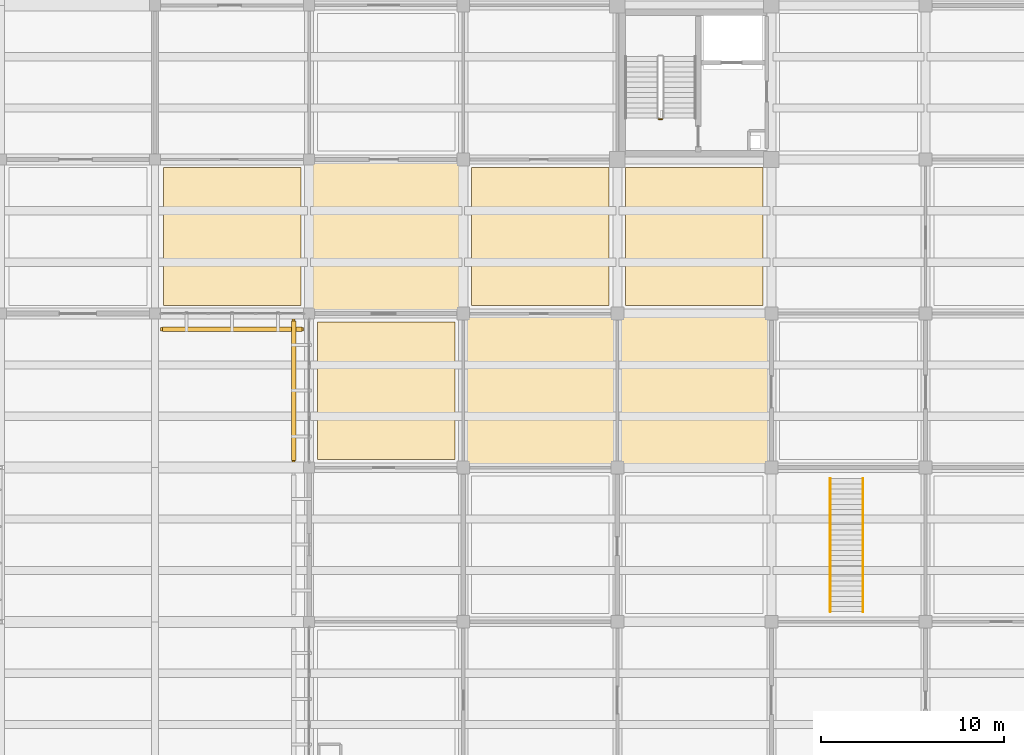
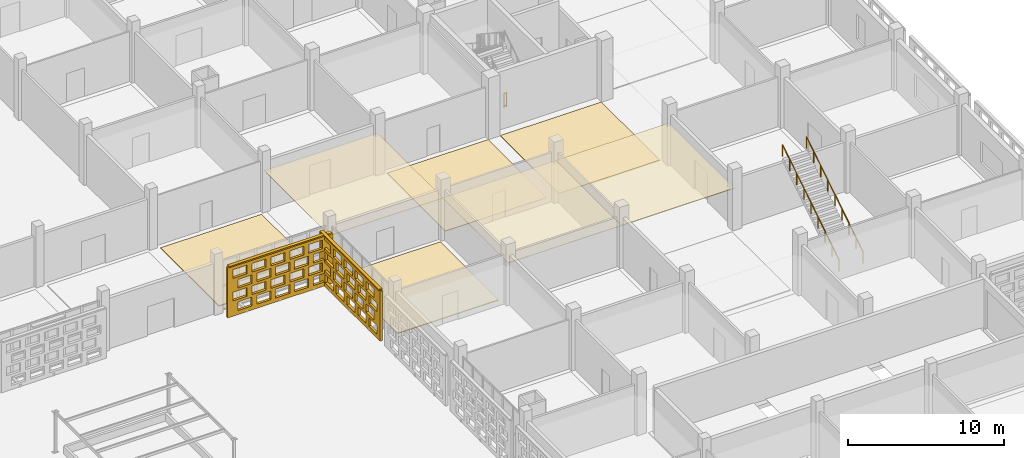
# One storey, part 123 of 129: 9 coverings, 3 railings, 2 shading devices, 40 openings.
"""IFC4 building model written with IfcOpenShell, lengths in metres."""

from ifc_helpers import new_model, si_unit, direction, frame, frame_2d, origin, origin_2d, place, context, subcontext, project, spatial, rectangle, circle, extrude, material, layer, layer_set, type_object, element, save


model = new_model("IFC4")

# Units and contexts
model_context = context("Model", 3, precision=1e-05, world=origin(), true_north=direction((0.0, 1.0)))
body_context = subcontext(model_context, "Body", "Model", "MODEL_VIEW")
ifc_project = project(units=[si_unit("LENGTHUNIT", "METRE"), si_unit("AREAUNIT", "SQUARE_METRE"), si_unit("VOLUMEUNIT", "CUBIC_METRE"), si_unit("PLANEANGLEUNIT", "RADIAN"), si_unit("MASSUNIT", "GRAM", prefix="KILO")], contexts=[model_context])

# Site, building, storey
site_placement = place(None, origin())
site = spatial("IfcSite", under=ifc_project, at=site_placement, CompositionType="ELEMENT")
building_placement = place(site_placement, origin())
building = spatial("IfcBuilding", under=site, at=building_placement, Name="Varnapada Polytechnic", CompositionType="ELEMENT")
storey_placement = place(building_placement, origin())
storey = spatial("IfcBuildingStorey", under=building, at=storey_placement, Name="L00", CompositionType="ELEMENT", Elevation=0.0)

# Coverings
ifc_material_1 = material(Name="Anti-Static Raised Laboratory Flooring")
ifc_layer_1 = layer(ifc_material_1, 0.06005859375)
ifc_layer_set_1 = layer_set([ifc_layer_1], Name="Anti-Static Raised Laboratory Flooring")
covering_type_1 = type_object("IfcCoveringType", Name="Floor Finish FLR-02", PredefinedType="FLOORING", material=ifc_layer_set_1)
covering_1_placement = place(storey_placement, frame((130.199951171875, 88.199951171875, 0.0), z_axis=(0.0, 0.0, 1.0), x_axis=(1.0, 0.0, 0.0)))
element("IfcCovering", 1, at=covering_1_placement, inside=storey, type_object=covering_type_1, Name="L00 floor finish panel (16,11)", PredefinedType="FLOORING", context=body_context, shape_type="SweptSolid", body=[
    extrude(rectangle(XDim=7.5, YDim=7.5, at=origin_2d()), origin(), (0.0, 0.0, 1.0), 0.06005859375),
])
ifc_material_2 = material(Name="End-Grain Timber Studio Block Flooring", Category="wood")
ifc_layer_2 = layer(ifc_material_2, 0.054931640625)
ifc_layer_set_2 = layer_set([ifc_layer_2], Name="End-Grain Timber Studio Block Flooring")
covering_type_2 = type_object("IfcCoveringType", Name="Floor Finish FLR-04", PredefinedType="FLOORING", material=ifc_layer_set_2)
covering_2_placement = place(storey_placement, frame((138.60009765625, 79.800048828125, 0.0), z_axis=(0.0, 0.0, 1.0), x_axis=(1.0, 0.0, 0.0)))
element("IfcCovering", 2, at=covering_2_placement, inside=storey, type_object=covering_type_2, Name="L00 floor finish panel (17,10)", PredefinedType="FLOORING", context=body_context, shape_type="SweptSolid", body=[
    extrude(rectangle(XDim=7.5, YDim=7.5, at=origin_2d()), origin(), (0.0, 0.0, 1.0), 0.054931640625),
])
ifc_material_3 = material(Name="Acoustic Rubber Seminar Flooring")
ifc_layer_3 = layer(ifc_material_3, 0.0400390625)
ifc_layer_set_3 = layer_set([ifc_layer_3], Name="Acoustic Rubber Seminar Flooring")
covering_type_3 = type_object("IfcCoveringType", Name="Floor Finish FLR-06", PredefinedType="FLOORING", material=ifc_layer_set_3)
for number, where, z_axis, x_axis, name in (
    (3, (147.0, 88.199951171875, 0.0), (0.0, 0.0, 1.0), (1.0, 0.0, 0.0), "L00 floor finish panel (18,11)"),
    (4, (155.39990234375, 88.199951171875, 0.0), (0.0, 0.0, 1.0), (1.0, 0.0, 0.0), "L00 floor finish panel (19,11)"),
):
    element("IfcCovering", number, at=place(storey_placement, frame(where, z_axis=z_axis, x_axis=x_axis)), inside=storey, type_object=covering_type_3, Name=name, PredefinedType="FLOORING", context=body_context, shape_type="SweptSolid", body=[
        extrude(rectangle(XDim=7.5, YDim=7.5, at=origin_2d()), origin(), (0.0, 0.0, 1.0), 0.0400390625),
    ])

# Railings
ifc_material_4 = material(Name="Brushed Stainless Steel 316", Category="steel")
railing_type_1 = type_object("IfcRailingType", Name="Stair Wall Handrail SHR-01", PredefinedType="HANDRAIL", material=ifc_material_4)
for number, where, name in (
    (5, (162.81005859375, 67.75, 0.177734375), "L00 commons stair ST-F4 handrail L"),
    (6, (164.590087890625, 67.75, 0.177734375), "L00 commons stair ST-F4 handrail R"),
):
    element("IfcRailing", number, at=place(storey_placement, frame(where)), inside=storey, type_object=railing_type_1, Name=name, PredefinedType="HANDRAIL", context=body_context, shape_type="SweptSolid", body=[
        extrude(circle(Radius=0.02392578125, at=origin_2d()), frame((0.0, 0.0, 0.8759765625), z_axis=(0.0, 0.84320402991, 0.537593679226), x_axis=(-1.0, 0.0, 0.0)), (0.0, 0.0, 1.0), 8.59814453125),
        extrude(circle(Radius=0.02099609375, at=origin_2d()), origin(), (0.0, 0.0, 1.0), 0.851806640625),
        extrude(circle(Radius=0.02099609375, at=origin_2d()), frame((0.0, 0.90625, 0.577880859375)), (0.0, 0.0, 1.0), 0.851806640625),
        extrude(circle(Radius=0.02099609375, at=origin_2d()), frame((0.0, 1.8125, 1.155517578125)), (0.0, 0.0, 1.0), 0.851806640625),
        extrude(circle(Radius=0.02099609375, at=origin_2d()), frame((0.0, 2.71875, 1.7333984375)), (0.0, 0.0, 1.0), 0.851806640625),
        extrude(circle(Radius=0.02099609375, at=origin_2d()), frame((0.0, 3.625, 2.31103515625)), (0.0, 0.0, 1.0), 0.851806640625),
        extrude(circle(Radius=0.02099609375, at=origin_2d()), frame((0.0, 4.53125, 2.888916015625)), (0.0, 0.0, 1.0), 0.851806640625),
        extrude(circle(Radius=0.02099609375, at=origin_2d()), frame((0.0, 5.4375, 3.466796875)), (0.0, 0.0, 1.0), 0.851806640625),
        extrude(circle(Radius=0.02099609375, at=origin_2d()), frame((0.0, 6.34375, 4.04443359375)), (0.0, 0.0, 1.0), 0.851806640625),
        extrude(circle(Radius=0.02099609375, at=origin_2d()), frame((0.0, 7.25, 4.622314453125)), (0.0, 0.0, 1.0), 0.851806640625),
    ])
railing_type_2 = type_object("IfcRailingType", Name="Stair Well Guard Rail SGR-01", PredefinedType="BALUSTRADE", material=ifc_material_4)
railing_placement = place(storey_placement, frame((153.64990234375, 94.60009765625, 0.0)))
element("IfcRailing", 7, at=railing_placement, inside=storey, type_object=railing_type_2, Name="L00 ST-5 stair guard 4", PredefinedType="BALUSTRADE", context=body_context, shape_type="SweptSolid", body=[
    extrude(circle(Radius=0.02392578125, at=origin_2d()), frame((0.0, 0.0, 1.09619140625), z_axis=(-1.0, 0.0, 0.0), x_axis=(0.0, -1.0, 0.0)), (0.0, 0.0, 1.0), 0.199951171875),
    extrude(circle(Radius=0.02392578125, at=origin_2d()), frame((0.0, 0.0, 0.10009765625), z_axis=(-1.0, 0.0, 0.0), x_axis=(0.0, -1.0, 0.0)), (0.0, 0.0, 1.0), 0.199951171875),
    extrude(circle(Radius=0.02099609375, at=origin_2d()), origin(), (0.0, 0.0, 1.0), 1.072021484375),
    extrude(circle(Radius=0.02099609375, at=origin_2d()), frame((-0.199951171875, 0.0, 0.0)), (0.0, 0.0, 1.0), 1.072021484375),
])

# Coverings
ifc_material_5 = material(Name="Perforated Timber Slatted Baffle Ceiling", Category="wood")
ifc_layer_4 = layer(ifc_material_5, 0.050048828125)
ifc_layer_set_4 = layer_set([ifc_layer_4], Name="Perforated Timber Slatted Baffle Ceiling")
covering_type_4 = type_object("IfcCoveringType", Name="Suspended Ceiling CLG-02", PredefinedType="CEILING", material=ifc_layer_set_4)
covering_3_placement = place(storey_placement, frame((155.39990234375, 79.800048828125, 3.02490234375), z_axis=(0.0, 0.0, 1.0), x_axis=(1.0, 0.0, 0.0)))
element("IfcCovering", 8, at=covering_3_placement, inside=storey, type_object=covering_type_4, Name="L00 suspended acoustic ceiling (19,10)", PredefinedType="CEILING", context=body_context, shape_type="SweptSolid", body=[
    extrude(rectangle(XDim=8.419921875, YDim=8.419921875, at=origin_2d()), origin(), (0.0, 0.0, 1.0), 0.050048828125),
])
ifc_material_6 = material(Name="Micro-Perforated Gypsum Acoustic Ceiling")
ifc_layer_5 = layer(ifc_material_6, 0.044921875)
ifc_layer_set_5 = layer_set([ifc_layer_5], Name="Micro-Perforated Gypsum Acoustic Ceiling")
covering_type_5 = type_object("IfcCoveringType", Name="Suspended Ceiling CLG-04", PredefinedType="CEILING", material=ifc_layer_set_5)
covering_4_placement = place(storey_placement, frame((147.0, 79.800048828125, 3.027587890625), z_axis=(0.0, 0.0, 1.0), x_axis=(1.0, 0.0, 0.0)))
element("IfcCovering", 9, at=covering_4_placement, inside=storey, type_object=covering_type_5, Name="L00 suspended acoustic ceiling (18,10)", PredefinedType="CEILING", context=body_context, shape_type="SweptSolid", body=[
    extrude(rectangle(XDim=8.419921875, YDim=8.419921875, at=origin_2d()), origin(), (0.0, 0.0, 1.0), 0.044921875),
])
ifc_material_7 = material(Name="Cleanroom Laboratory Metal Pan Ceiling")
ifc_layer_6 = layer(ifc_material_7, 0.034912109375)
ifc_layer_set_6 = layer_set([ifc_layer_6], Name="Cleanroom Laboratory Metal Pan Ceiling")
covering_type_6 = type_object("IfcCoveringType", Name="Suspended Ceiling CLG-06", PredefinedType="CEILING", material=ifc_layer_set_6)
covering_5_placement = place(storey_placement, frame((138.60009765625, 88.199951171875, 3.03271484375), z_axis=(0.0, 0.0, 1.0), x_axis=(1.0, 0.0, 0.0)))
element("IfcCovering", 10, at=covering_5_placement, inside=storey, type_object=covering_type_6, Name="L00 suspended acoustic ceiling (17,11)", PredefinedType="CEILING", context=body_context, shape_type="SweptSolid", body=[
    extrude(rectangle(XDim=8.419921875, YDim=8.419921875, at=origin_2d()), origin(), (0.0, 0.0, 1.0), 0.034912109375),
])

# Covering, openings
ifc_material_8 = material(Name="Earth-toned architectural terracotta screen block", Category="masonry")
ifc_layer_7 = layer(ifc_material_8, 0.1201171875)
ifc_layer_set_7 = layer_set([ifc_layer_7], Name="Earth-toned architectural terracotta screen block")
covering_type_7 = type_object("IfcCoveringType", Name="Terracotta Screen Cladding CLD-01", PredefinedType="CLADDING", material=ifc_layer_set_7)
covering_6_placement = place(storey_placement, frame((134.10009765625, 83.14990234375, 0.0), z_axis=(0.0, 0.0, 1.0), x_axis=(-1.0, 0.0, 0.0)))
covering_6 = element("IfcCovering", 11, at=covering_6_placement, inside=storey, type_object=covering_type_7, Name="L00 perforated terracotta block screen (78)", PredefinedType="CLADDING", context=body_context, shape_type="SweptSolid", body=[
    extrude(rectangle(XDim=7.800048828125, YDim=0.179931640625, at=frame_2d((3.89990234375, 0.0))), origin(), (0.0, 0.0, 1.0), 3.919921875),
])
opening_1_placement = place(covering_6_placement, frame((0.39990234375, 0.0, 0.313720703125)))
element("IfcOpeningElement", 12, at=opening_1_placement, cuts=covering_6, Name="Screen perforation TBS-L00-077.1", PredefinedType="OPENING", context=body_context, shape_type="SweptSolid", body=[
    extrude(rectangle(XDim=1.0400390625, YDim=0.679931640625, at=frame_2d((0.52001953125, 0.33984375))), frame((0.0, 0.099853515625, 0.0), z_axis=(0.0, -1.0, 0.0), x_axis=(1.0, 0.0, 0.0)), (0.0, 0.0, 1.0), 0.199951171875),
])
opening_2_placement = place(covering_6_placement, frame((1.800048828125, 0.0, 0.313720703125)))
element("IfcOpeningElement", 13, at=opening_2_placement, cuts=covering_6, Name="Screen perforation TBS-L00-077.2", PredefinedType="OPENING", context=body_context, shape_type="SweptSolid", body=[
    extrude(rectangle(XDim=1.0400390625, YDim=0.679931640625, at=frame_2d((0.52001953125, 0.33984375))), frame((0.0, 0.099853515625, 0.0), z_axis=(0.0, -1.0, 0.0), x_axis=(1.0, 0.0, 0.0)), (0.0, 0.0, 1.0), 0.199951171875),
])
opening_3_placement = place(covering_6_placement, frame((3.199951171875, 0.0, 0.313720703125)))
element("IfcOpeningElement", 14, at=opening_3_placement, cuts=covering_6, Name="Screen perforation TBS-L00-077.3", PredefinedType="OPENING", context=body_context, shape_type="SweptSolid", body=[
    extrude(rectangle(XDim=1.0400390625, YDim=0.679931640625, at=frame_2d((0.52001953125, 0.33984375))), frame((0.0, 0.099853515625, 0.0), z_axis=(0.0, -1.0, 0.0), x_axis=(1.0, 0.0, 0.0)), (0.0, 0.0, 1.0), 0.199951171875),
])
opening_4_placement = place(covering_6_placement, frame((4.60009765625, 0.0, 0.313720703125)))
element("IfcOpeningElement", 15, at=opening_4_placement, cuts=covering_6, Name="Screen perforation TBS-L00-077.4", PredefinedType="OPENING", context=body_context, shape_type="SweptSolid", body=[
    extrude(rectangle(XDim=1.0400390625, YDim=0.679931640625, at=frame_2d((0.52001953125, 0.33984375))), frame((0.0, 0.099853515625, 0.0), z_axis=(0.0, -1.0, 0.0), x_axis=(1.0, 0.0, 0.0)), (0.0, 0.0, 1.0), 0.199951171875),
])
opening_5_placement = place(covering_6_placement, frame((6.0, 0.0, 0.313720703125)))
element("IfcOpeningElement", 16, at=opening_5_placement, cuts=covering_6, Name="Screen perforation TBS-L00-077.5", PredefinedType="OPENING", context=body_context, shape_type="SweptSolid", body=[
    extrude(rectangle(XDim=1.0400390625, YDim=0.679931640625, at=frame_2d((0.52001953125, 0.33984375))), frame((0.0, 0.099853515625, 0.0), z_axis=(0.0, -1.0, 0.0), x_axis=(1.0, 0.0, 0.0)), (0.0, 0.0, 1.0), 0.199951171875),
])
opening_6_placement = place(covering_6_placement, frame((0.760009765625, 0.0, 1.195556640625)))
element("IfcOpeningElement", 17, at=opening_6_placement, cuts=covering_6, Name="Screen perforation TBS-L00-077.6", PredefinedType="OPENING", context=body_context, shape_type="SweptSolid", body=[
    extrude(rectangle(XDim=1.0400390625, YDim=0.679931640625, at=frame_2d((0.52001953125, 0.33984375))), frame((0.0, 0.099853515625, 0.0), z_axis=(0.0, -1.0, 0.0), x_axis=(1.0, 0.0, 0.0)), (0.0, 0.0, 1.0), 0.199951171875),
])
opening_7_placement = place(covering_6_placement, frame((2.159912109375, 0.0, 1.195556640625)))
element("IfcOpeningElement", 18, at=opening_7_placement, cuts=covering_6, Name="Screen perforation TBS-L00-077.7", PredefinedType="OPENING", context=body_context, shape_type="SweptSolid", body=[
    extrude(rectangle(XDim=1.0400390625, YDim=0.679931640625, at=frame_2d((0.52001953125, 0.33984375))), frame((0.0, 0.099853515625, 0.0), z_axis=(0.0, -1.0, 0.0), x_axis=(1.0, 0.0, 0.0)), (0.0, 0.0, 1.0), 0.199951171875),
])
opening_8_placement = place(covering_6_placement, frame((3.56005859375, 0.0, 1.195556640625)))
element("IfcOpeningElement", 19, at=opening_8_placement, cuts=covering_6, Name="Screen perforation TBS-L00-077.8", PredefinedType="OPENING", context=body_context, shape_type="SweptSolid", body=[
    extrude(rectangle(XDim=1.0400390625, YDim=0.679931640625, at=frame_2d((0.52001953125, 0.33984375))), frame((0.0, 0.099853515625, 0.0), z_axis=(0.0, -1.0, 0.0), x_axis=(1.0, 0.0, 0.0)), (0.0, 0.0, 1.0), 0.199951171875),
])
opening_9_placement = place(covering_6_placement, frame((4.9599609375, 0.0, 1.195556640625)))
element("IfcOpeningElement", 20, at=opening_9_placement, cuts=covering_6, Name="Screen perforation TBS-L00-077.9", PredefinedType="OPENING", context=body_context, shape_type="SweptSolid", body=[
    extrude(rectangle(XDim=1.0400390625, YDim=0.679931640625, at=frame_2d((0.52001953125, 0.33984375))), frame((0.0, 0.099853515625, 0.0), z_axis=(0.0, -1.0, 0.0), x_axis=(1.0, 0.0, 0.0)), (0.0, 0.0, 1.0), 0.199951171875),
])
opening_10_placement = place(covering_6_placement, frame((6.360107421875, 0.0, 1.195556640625)))
element("IfcOpeningElement", 21, at=opening_10_placement, cuts=covering_6, Name="Screen perforation TBS-L00-077.10", PredefinedType="OPENING", context=body_context, shape_type="SweptSolid", body=[
    extrude(rectangle(XDim=1.0400390625, YDim=0.679931640625, at=frame_2d((0.52001953125, 0.33984375))), frame((0.0, 0.099853515625, 0.0), z_axis=(0.0, -1.0, 0.0), x_axis=(1.0, 0.0, 0.0)), (0.0, 0.0, 1.0), 0.199951171875),
])
opening_11_placement = place(covering_6_placement, frame((0.39990234375, 0.0, 2.07763671875)))
element("IfcOpeningElement", 22, at=opening_11_placement, cuts=covering_6, Name="Screen perforation TBS-L00-077.11", PredefinedType="OPENING", context=body_context, shape_type="SweptSolid", body=[
    extrude(rectangle(XDim=1.0400390625, YDim=0.679931640625, at=frame_2d((0.52001953125, 0.33984375))), frame((0.0, 0.099853515625, 0.0), z_axis=(0.0, -1.0, 0.0), x_axis=(1.0, 0.0, 0.0)), (0.0, 0.0, 1.0), 0.199951171875),
])
opening_12_placement = place(covering_6_placement, frame((1.800048828125, 0.0, 2.07763671875)))
element("IfcOpeningElement", 23, at=opening_12_placement, cuts=covering_6, Name="Screen perforation TBS-L00-077.12", PredefinedType="OPENING", context=body_context, shape_type="SweptSolid", body=[
    extrude(rectangle(XDim=1.0400390625, YDim=0.679931640625, at=frame_2d((0.52001953125, 0.33984375))), frame((0.0, 0.099853515625, 0.0), z_axis=(0.0, -1.0, 0.0), x_axis=(1.0, 0.0, 0.0)), (0.0, 0.0, 1.0), 0.199951171875),
])
opening_13_placement = place(covering_6_placement, frame((3.199951171875, 0.0, 2.07763671875)))
element("IfcOpeningElement", 24, at=opening_13_placement, cuts=covering_6, Name="Screen perforation TBS-L00-077.13", PredefinedType="OPENING", context=body_context, shape_type="SweptSolid", body=[
    extrude(rectangle(XDim=1.0400390625, YDim=0.679931640625, at=frame_2d((0.52001953125, 0.33984375))), frame((0.0, 0.099853515625, 0.0), z_axis=(0.0, -1.0, 0.0), x_axis=(1.0, 0.0, 0.0)), (0.0, 0.0, 1.0), 0.199951171875),
])
opening_14_placement = place(covering_6_placement, frame((4.60009765625, 0.0, 2.07763671875)))
element("IfcOpeningElement", 25, at=opening_14_placement, cuts=covering_6, Name="Screen perforation TBS-L00-077.14", PredefinedType="OPENING", context=body_context, shape_type="SweptSolid", body=[
    extrude(rectangle(XDim=1.0400390625, YDim=0.679931640625, at=frame_2d((0.52001953125, 0.33984375))), frame((0.0, 0.099853515625, 0.0), z_axis=(0.0, -1.0, 0.0), x_axis=(1.0, 0.0, 0.0)), (0.0, 0.0, 1.0), 0.199951171875),
])
opening_15_placement = place(covering_6_placement, frame((6.0, 0.0, 2.07763671875)))
element("IfcOpeningElement", 26, at=opening_15_placement, cuts=covering_6, Name="Screen perforation TBS-L00-077.15", PredefinedType="OPENING", context=body_context, shape_type="SweptSolid", body=[
    extrude(rectangle(XDim=1.0400390625, YDim=0.679931640625, at=frame_2d((0.52001953125, 0.33984375))), frame((0.0, 0.099853515625, 0.0), z_axis=(0.0, -1.0, 0.0), x_axis=(1.0, 0.0, 0.0)), (0.0, 0.0, 1.0), 0.199951171875),
])
opening_16_placement = place(covering_6_placement, frame((0.760009765625, 0.0, 2.959716796875)))
element("IfcOpeningElement", 27, at=opening_16_placement, cuts=covering_6, Name="Screen perforation TBS-L00-077.16", PredefinedType="OPENING", context=body_context, shape_type="SweptSolid", body=[
    extrude(rectangle(XDim=1.0400390625, YDim=0.679931640625, at=frame_2d((0.52001953125, 0.33984375))), frame((0.0, 0.099853515625, 0.0), z_axis=(0.0, -1.0, 0.0), x_axis=(1.0, 0.0, 0.0)), (0.0, 0.0, 1.0), 0.199951171875),
])
opening_17_placement = place(covering_6_placement, frame((2.159912109375, 0.0, 2.959716796875)))
element("IfcOpeningElement", 28, at=opening_17_placement, cuts=covering_6, Name="Screen perforation TBS-L00-077.17", PredefinedType="OPENING", context=body_context, shape_type="SweptSolid", body=[
    extrude(rectangle(XDim=1.0400390625, YDim=0.679931640625, at=frame_2d((0.52001953125, 0.33984375))), frame((0.0, 0.099853515625, 0.0), z_axis=(0.0, -1.0, 0.0), x_axis=(1.0, 0.0, 0.0)), (0.0, 0.0, 1.0), 0.199951171875),
])
opening_18_placement = place(covering_6_placement, frame((3.56005859375, 0.0, 2.959716796875)))
element("IfcOpeningElement", 29, at=opening_18_placement, cuts=covering_6, Name="Screen perforation TBS-L00-077.18", PredefinedType="OPENING", context=body_context, shape_type="SweptSolid", body=[
    extrude(rectangle(XDim=1.0400390625, YDim=0.679931640625, at=frame_2d((0.52001953125, 0.33984375))), frame((0.0, 0.099853515625, 0.0), z_axis=(0.0, -1.0, 0.0), x_axis=(1.0, 0.0, 0.0)), (0.0, 0.0, 1.0), 0.199951171875),
])
opening_19_placement = place(covering_6_placement, frame((4.9599609375, 0.0, 2.959716796875)))
element("IfcOpeningElement", 30, at=opening_19_placement, cuts=covering_6, Name="Screen perforation TBS-L00-077.19", PredefinedType="OPENING", context=body_context, shape_type="SweptSolid", body=[
    extrude(rectangle(XDim=1.0400390625, YDim=0.679931640625, at=frame_2d((0.52001953125, 0.33984375))), frame((0.0, 0.099853515625, 0.0), z_axis=(0.0, -1.0, 0.0), x_axis=(1.0, 0.0, 0.0)), (0.0, 0.0, 1.0), 0.199951171875),
])
opening_20_placement = place(covering_6_placement, frame((6.360107421875, 0.0, 2.959716796875)))
element("IfcOpeningElement", 31, at=opening_20_placement, cuts=covering_6, Name="Screen perforation TBS-L00-077.20", PredefinedType="OPENING", context=body_context, shape_type="SweptSolid", body=[
    extrude(rectangle(XDim=1.0400390625, YDim=0.679931640625, at=frame_2d((0.52001953125, 0.33984375))), frame((0.0, 0.099853515625, 0.0), z_axis=(0.0, -1.0, 0.0), x_axis=(1.0, 0.0, 0.0)), (0.0, 0.0, 1.0), 0.199951171875),
])

covering_7_placement = place(storey_placement, frame((133.550048828125, 75.89990234375, 0.0), z_axis=(0.0, 0.0, 1.0), x_axis=(0.0, 1.0, 0.0)))
covering_7 = element("IfcCovering", 32, at=covering_7_placement, inside=storey, type_object=covering_type_7, Name="L00 perforated terracotta block screen (89)", PredefinedType="CLADDING", context=body_context, shape_type="SweptSolid", body=[
    extrude(rectangle(XDim=7.800048828125, YDim=0.179931640625, at=frame_2d((3.89990234375, 0.0))), origin(), (0.0, 0.0, 1.0), 3.919921875),
])
opening_21_placement = place(covering_7_placement, frame((0.39990234375, 0.0, 0.313720703125)))
element("IfcOpeningElement", 33, at=opening_21_placement, cuts=covering_7, Name="Screen perforation TBS-L00-088.1", PredefinedType="OPENING", context=body_context, shape_type="SweptSolid", body=[
    extrude(rectangle(XDim=1.0400390625, YDim=0.679931640625, at=frame_2d((0.52001953125, 0.33984375))), frame((0.0, 0.099853515625, 0.0), z_axis=(0.0, -1.0, 0.0), x_axis=(1.0, 0.0, 0.0)), (0.0, 0.0, 1.0), 0.199951171875),
])
opening_22_placement = place(covering_7_placement, frame((1.800048828125, 0.0, 0.313720703125)))
element("IfcOpeningElement", 34, at=opening_22_placement, cuts=covering_7, Name="Screen perforation TBS-L00-088.2", PredefinedType="OPENING", context=body_context, shape_type="SweptSolid", body=[
    extrude(rectangle(XDim=1.0400390625, YDim=0.679931640625, at=frame_2d((0.52001953125, 0.33984375))), frame((0.0, 0.099853515625, 0.0), z_axis=(0.0, -1.0, 0.0), x_axis=(1.0, 0.0, 0.0)), (0.0, 0.0, 1.0), 0.199951171875),
])
opening_23_placement = place(covering_7_placement, frame((3.199951171875, 0.0, 0.313720703125)))
element("IfcOpeningElement", 35, at=opening_23_placement, cuts=covering_7, Name="Screen perforation TBS-L00-088.3", PredefinedType="OPENING", context=body_context, shape_type="SweptSolid", body=[
    extrude(rectangle(XDim=1.0400390625, YDim=0.679931640625, at=frame_2d((0.52001953125, 0.33984375))), frame((0.0, 0.099853515625, 0.0), z_axis=(0.0, -1.0, 0.0), x_axis=(1.0, 0.0, 0.0)), (0.0, 0.0, 1.0), 0.199951171875),
])
opening_24_placement = place(covering_7_placement, frame((4.60009765625, 0.0, 0.313720703125)))
element("IfcOpeningElement", 36, at=opening_24_placement, cuts=covering_7, Name="Screen perforation TBS-L00-088.4", PredefinedType="OPENING", context=body_context, shape_type="SweptSolid", body=[
    extrude(rectangle(XDim=1.0400390625, YDim=0.679931640625, at=frame_2d((0.52001953125, 0.33984375))), frame((0.0, 0.099853515625, 0.0), z_axis=(0.0, -1.0, 0.0), x_axis=(1.0, 0.0, 0.0)), (0.0, 0.0, 1.0), 0.199951171875),
])
opening_25_placement = place(covering_7_placement, frame((6.0, 0.0, 0.313720703125)))
element("IfcOpeningElement", 37, at=opening_25_placement, cuts=covering_7, Name="Screen perforation TBS-L00-088.5", PredefinedType="OPENING", context=body_context, shape_type="SweptSolid", body=[
    extrude(rectangle(XDim=1.0400390625, YDim=0.679931640625, at=frame_2d((0.52001953125, 0.33984375))), frame((0.0, 0.099853515625, 0.0), z_axis=(0.0, -1.0, 0.0), x_axis=(1.0, 0.0, 0.0)), (0.0, 0.0, 1.0), 0.199951171875),
])
opening_26_placement = place(covering_7_placement, frame((0.760009765625, 0.0, 1.195556640625)))
element("IfcOpeningElement", 38, at=opening_26_placement, cuts=covering_7, Name="Screen perforation TBS-L00-088.6", PredefinedType="OPENING", context=body_context, shape_type="SweptSolid", body=[
    extrude(rectangle(XDim=1.0400390625, YDim=0.679931640625, at=frame_2d((0.52001953125, 0.33984375))), frame((0.0, 0.099853515625, 0.0), z_axis=(0.0, -1.0, 0.0), x_axis=(1.0, 0.0, 0.0)), (0.0, 0.0, 1.0), 0.199951171875),
])
opening_27_placement = place(covering_7_placement, frame((2.159912109375, 0.0, 1.195556640625)))
element("IfcOpeningElement", 39, at=opening_27_placement, cuts=covering_7, Name="Screen perforation TBS-L00-088.7", PredefinedType="OPENING", context=body_context, shape_type="SweptSolid", body=[
    extrude(rectangle(XDim=1.0400390625, YDim=0.679931640625, at=frame_2d((0.52001953125, 0.33984375))), frame((0.0, 0.099853515625, 0.0), z_axis=(0.0, -1.0, 0.0), x_axis=(1.0, 0.0, 0.0)), (0.0, 0.0, 1.0), 0.199951171875),
])
opening_28_placement = place(covering_7_placement, frame((3.56005859375, 0.0, 1.195556640625)))
element("IfcOpeningElement", 40, at=opening_28_placement, cuts=covering_7, Name="Screen perforation TBS-L00-088.8", PredefinedType="OPENING", context=body_context, shape_type="SweptSolid", body=[
    extrude(rectangle(XDim=1.0400390625, YDim=0.679931640625, at=frame_2d((0.52001953125, 0.33984375))), frame((0.0, 0.099853515625, 0.0), z_axis=(0.0, -1.0, 0.0), x_axis=(1.0, 0.0, 0.0)), (0.0, 0.0, 1.0), 0.199951171875),
])
opening_29_placement = place(covering_7_placement, frame((4.9599609375, 0.0, 1.195556640625)))
element("IfcOpeningElement", 41, at=opening_29_placement, cuts=covering_7, Name="Screen perforation TBS-L00-088.9", PredefinedType="OPENING", context=body_context, shape_type="SweptSolid", body=[
    extrude(rectangle(XDim=1.0400390625, YDim=0.679931640625, at=frame_2d((0.52001953125, 0.33984375))), frame((0.0, 0.099853515625, 0.0), z_axis=(0.0, -1.0, 0.0), x_axis=(1.0, 0.0, 0.0)), (0.0, 0.0, 1.0), 0.199951171875),
])
opening_30_placement = place(covering_7_placement, frame((6.360107421875, 0.0, 1.195556640625)))
element("IfcOpeningElement", 42, at=opening_30_placement, cuts=covering_7, Name="Screen perforation TBS-L00-088.10", PredefinedType="OPENING", context=body_context, shape_type="SweptSolid", body=[
    extrude(rectangle(XDim=1.0400390625, YDim=0.679931640625, at=frame_2d((0.52001953125, 0.33984375))), frame((0.0, 0.099853515625, 0.0), z_axis=(0.0, -1.0, 0.0), x_axis=(1.0, 0.0, 0.0)), (0.0, 0.0, 1.0), 0.199951171875),
])
opening_31_placement = place(covering_7_placement, frame((0.39990234375, 0.0, 2.07763671875)))
element("IfcOpeningElement", 43, at=opening_31_placement, cuts=covering_7, Name="Screen perforation TBS-L00-088.11", PredefinedType="OPENING", context=body_context, shape_type="SweptSolid", body=[
    extrude(rectangle(XDim=1.0400390625, YDim=0.679931640625, at=frame_2d((0.52001953125, 0.33984375))), frame((0.0, 0.099853515625, 0.0), z_axis=(0.0, -1.0, 0.0), x_axis=(1.0, 0.0, 0.0)), (0.0, 0.0, 1.0), 0.199951171875),
])
opening_32_placement = place(covering_7_placement, frame((1.800048828125, 0.0, 2.07763671875)))
element("IfcOpeningElement", 44, at=opening_32_placement, cuts=covering_7, Name="Screen perforation TBS-L00-088.12", PredefinedType="OPENING", context=body_context, shape_type="SweptSolid", body=[
    extrude(rectangle(XDim=1.0400390625, YDim=0.679931640625, at=frame_2d((0.52001953125, 0.33984375))), frame((0.0, 0.099853515625, 0.0), z_axis=(0.0, -1.0, 0.0), x_axis=(1.0, 0.0, 0.0)), (0.0, 0.0, 1.0), 0.199951171875),
])
opening_33_placement = place(covering_7_placement, frame((3.199951171875, 0.0, 2.07763671875)))
element("IfcOpeningElement", 45, at=opening_33_placement, cuts=covering_7, Name="Screen perforation TBS-L00-088.13", PredefinedType="OPENING", context=body_context, shape_type="SweptSolid", body=[
    extrude(rectangle(XDim=1.0400390625, YDim=0.679931640625, at=frame_2d((0.52001953125, 0.33984375))), frame((0.0, 0.099853515625, 0.0), z_axis=(0.0, -1.0, 0.0), x_axis=(1.0, 0.0, 0.0)), (0.0, 0.0, 1.0), 0.199951171875),
])
opening_34_placement = place(covering_7_placement, frame((4.60009765625, 0.0, 2.07763671875)))
element("IfcOpeningElement", 46, at=opening_34_placement, cuts=covering_7, Name="Screen perforation TBS-L00-088.14", PredefinedType="OPENING", context=body_context, shape_type="SweptSolid", body=[
    extrude(rectangle(XDim=1.0400390625, YDim=0.679931640625, at=frame_2d((0.52001953125, 0.33984375))), frame((0.0, 0.099853515625, 0.0), z_axis=(0.0, -1.0, 0.0), x_axis=(1.0, 0.0, 0.0)), (0.0, 0.0, 1.0), 0.199951171875),
])
opening_35_placement = place(covering_7_placement, frame((6.0, 0.0, 2.07763671875)))
element("IfcOpeningElement", 47, at=opening_35_placement, cuts=covering_7, Name="Screen perforation TBS-L00-088.15", PredefinedType="OPENING", context=body_context, shape_type="SweptSolid", body=[
    extrude(rectangle(XDim=1.0400390625, YDim=0.679931640625, at=frame_2d((0.52001953125, 0.33984375))), frame((0.0, 0.099853515625, 0.0), z_axis=(0.0, -1.0, 0.0), x_axis=(1.0, 0.0, 0.0)), (0.0, 0.0, 1.0), 0.199951171875),
])
opening_36_placement = place(covering_7_placement, frame((0.760009765625, 0.0, 2.959716796875)))
element("IfcOpeningElement", 48, at=opening_36_placement, cuts=covering_7, Name="Screen perforation TBS-L00-088.16", PredefinedType="OPENING", context=body_context, shape_type="SweptSolid", body=[
    extrude(rectangle(XDim=1.0400390625, YDim=0.679931640625, at=frame_2d((0.52001953125, 0.33984375))), frame((0.0, 0.099853515625, 0.0), z_axis=(0.0, -1.0, 0.0), x_axis=(1.0, 0.0, 0.0)), (0.0, 0.0, 1.0), 0.199951171875),
])
opening_37_placement = place(covering_7_placement, frame((2.159912109375, 0.0, 2.959716796875)))
element("IfcOpeningElement", 49, at=opening_37_placement, cuts=covering_7, Name="Screen perforation TBS-L00-088.17", PredefinedType="OPENING", context=body_context, shape_type="SweptSolid", body=[
    extrude(rectangle(XDim=1.0400390625, YDim=0.679931640625, at=frame_2d((0.52001953125, 0.33984375))), frame((0.0, 0.099853515625, 0.0), z_axis=(0.0, -1.0, 0.0), x_axis=(1.0, 0.0, 0.0)), (0.0, 0.0, 1.0), 0.199951171875),
])
opening_38_placement = place(covering_7_placement, frame((3.56005859375, 0.0, 2.959716796875)))
element("IfcOpeningElement", 50, at=opening_38_placement, cuts=covering_7, Name="Screen perforation TBS-L00-088.18", PredefinedType="OPENING", context=body_context, shape_type="SweptSolid", body=[
    extrude(rectangle(XDim=1.0400390625, YDim=0.679931640625, at=frame_2d((0.52001953125, 0.33984375))), frame((0.0, 0.099853515625, 0.0), z_axis=(0.0, -1.0, 0.0), x_axis=(1.0, 0.0, 0.0)), (0.0, 0.0, 1.0), 0.199951171875),
])
opening_39_placement = place(covering_7_placement, frame((4.9599609375, 0.0, 2.959716796875)))
element("IfcOpeningElement", 51, at=opening_39_placement, cuts=covering_7, Name="Screen perforation TBS-L00-088.19", PredefinedType="OPENING", context=body_context, shape_type="SweptSolid", body=[
    extrude(rectangle(XDim=1.0400390625, YDim=0.679931640625, at=frame_2d((0.52001953125, 0.33984375))), frame((0.0, 0.099853515625, 0.0), z_axis=(0.0, -1.0, 0.0), x_axis=(1.0, 0.0, 0.0)), (0.0, 0.0, 1.0), 0.199951171875),
])
opening_40_placement = place(covering_7_placement, frame((6.360107421875, 0.0, 2.959716796875)))
element("IfcOpeningElement", 52, at=opening_40_placement, cuts=covering_7, Name="Screen perforation TBS-L00-088.20", PredefinedType="OPENING", context=body_context, shape_type="SweptSolid", body=[
    extrude(rectangle(XDim=1.0400390625, YDim=0.679931640625, at=frame_2d((0.52001953125, 0.33984375))), frame((0.0, 0.099853515625, 0.0), z_axis=(0.0, -1.0, 0.0), x_axis=(1.0, 0.0, 0.0)), (0.0, 0.0, 1.0), 0.199951171875),
])

# Shading devices
ifc_layer_8 = layer(ifc_material_8, 0.179931640625)
ifc_layer_set_8 = layer_set([ifc_layer_8], Name="Earth-toned architectural terracotta screen block")
shading_device_type = type_object("IfcShadingDeviceType", Name="Terracotta Screen SCR-02", PredefinedType="USERDEFINED", material=ifc_layer_set_8)
for number, where, z_axis, x_axis, name in (
    (53, (130.199951171875, 83.14990234375, 3.909912109375), (0.0, 0.0, 1.0), (-1.0, 0.0, 0.0), "L00 perforated terracotta screen hood 53"),
    (54, (133.550048828125, 79.800048828125, 3.909912109375), (0.0, 0.0, 1.0), (0.0, 1.0, 0.0), "L00 perforated terracotta screen hood 62"),
):
    element("IfcShadingDevice", number, at=place(storey_placement, frame(where, z_axis=z_axis, x_axis=x_axis)), inside=storey, type_object=shading_device_type, Name=name, ObjectType="SCREEN", PredefinedType="USERDEFINED", context=body_context, shape_type="SweptSolid", body=[
        extrude(rectangle(XDim=7.60009765625, YDim=0.239990234375, at=origin_2d()), origin(), (0.0, 0.0, 1.0), 0.10009765625),
    ])

save(model, "model.ifc")
